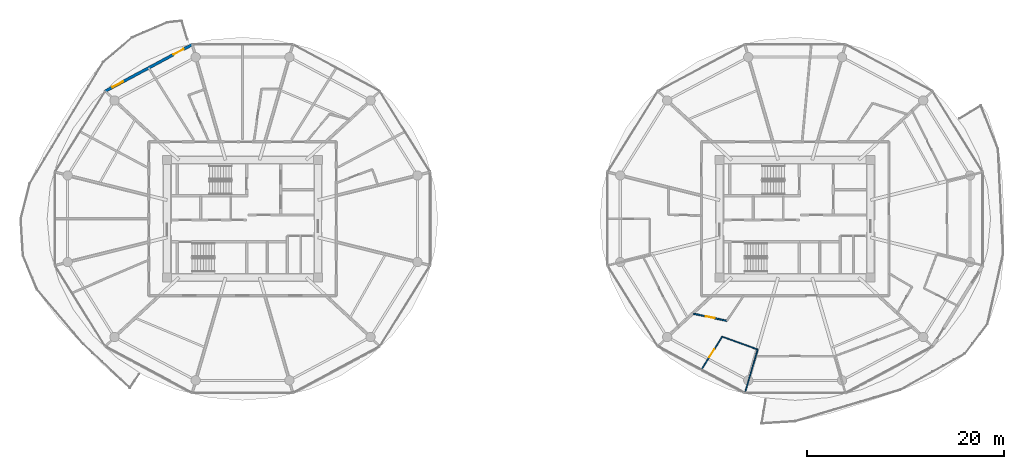
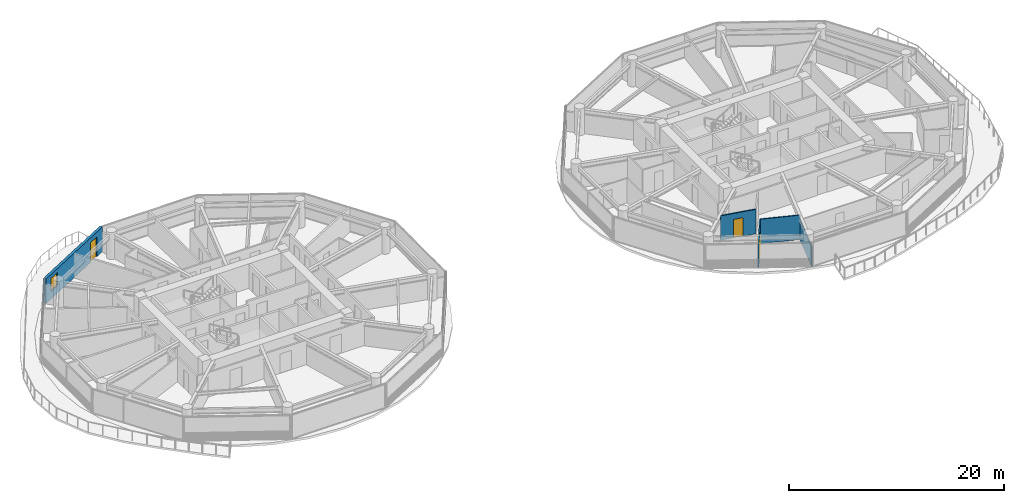
# One storey, part 18 of 27: 5 walls, 3 doors, 1 window, 4 openings.
"""IFC4 building model written with IfcOpenShell, lengths in metres."""

from ifc_helpers import new_model, si_unit, direction, frame, frame_2d, origin, place, context, subcontext, project, spatial, rectangle, extrude, source, transform, mapped, material, layer, layer_set, type_object, type_shapes, element, fill, save


model = new_model("IFC4")

# Units and contexts
model_context = context("Model", 3, precision=1e-05, world=origin(), true_north=direction((0.0, 1.0)))
body_context = subcontext(model_context, "Body", "Model", "MODEL_VIEW")
ifc_project = project(units=[si_unit("LENGTHUNIT", "METRE"), si_unit("AREAUNIT", "SQUARE_METRE"), si_unit("VOLUMEUNIT", "CUBIC_METRE"), si_unit("PLANEANGLEUNIT", "RADIAN"), si_unit("MASSUNIT", "GRAM", prefix="KILO")], contexts=[model_context])

# Site, building, storey
site_placement = place(None, origin())
site = spatial("IfcSite", under=ifc_project, at=site_placement, CompositionType="ELEMENT")
building_placement = place(site_placement, origin())
building = spatial("IfcBuilding", under=site, at=building_placement, Name="Norrkilde Senior Care Towers", CompositionType="ELEMENT")
storey_placement = place(building_placement, frame((0.0, 0.0, 33.800048828125)))
storey = spatial("IfcBuildingStorey", under=building, at=storey_placement, Name="L09", CompositionType="ELEMENT", Elevation=33.800048828125)

# Wall, openings, door, window
ifc_material_1 = material(Name="Precast concrete C45/55", Category="concrete")
ifc_layer_1 = layer(ifc_material_1, 0.2900390625)
ifc_layer_set_1 = layer_set([ifc_layer_1], Name="Precast concrete C45/55")
wall_type_1 = type_object("IfcWallType", Name="Winter Garden Facade Wall 290", PredefinedType="SOLIDWALL", material=ifc_layer_set_1)
shared_shape_1 = source(origin(), body_context, "Body", "SweptSolid", [
    extrude(rectangle(XDim=10.0107421875, YDim=0.2900390625, at=frame_2d((5.00537109375, 0.0))), origin(), (0.0, 0.0, 1.0), 2.7900390625),
])
type_shapes(wall_type_1, [shared_shape_1])
wall_1_placement = place(storey_placement, frame((-41.915771484375, 12.926025390625, 0.0), z_axis=(0.0, 0.0, 1.0), x_axis=(0.881272505317, 0.472608475773, 0.0)))
wall_1 = element("IfcWall", 1, at=wall_1_placement, inside=storey, type_object=wall_type_1, Name="L09 Drum W Balcony Access Wall 03", PredefinedType="SOLIDWALL", context=body_context, shape_type="MappedRepresentation", body=[
    mapped(shared_shape_1, transform((0.0, 0.0, 0.0), x_axis=(1.0, 0.0, 0.0), y_axis=(0.0, 1.0, 0.0), z_axis=(0.0, 0.0, 1.0), scale=1.0)),
])
opening_1_placement = place(wall_1_placement, frame((7.860107421875, 0.0, 0.0)))
opening_1 = element("IfcOpeningElement", 2, at=opening_1_placement, cuts=wall_1, Name="Opening D-09", PredefinedType="OPENING", context=body_context, shape_type="SweptSolid", body=[
    extrude(rectangle(XDim=1.14990234375, YDim=2.25, at=frame_2d((0.574951171875, 1.125))), frame((0.0, 0.155029296875, 0.0), z_axis=(0.0, -1.0, 0.0), x_axis=(1.0, 0.0, 0.0)), (0.0, 0.0, 1.0), 0.31005859375),
])
opening_2_placement = place(wall_1_placement, frame((0.85009765625, 0.0, 0.85009765625)))
opening_2 = element("IfcOpeningElement", 3, at=opening_2_placement, cuts=wall_1, Name="Opening WN-07", PredefinedType="OPENING", context=body_context, shape_type="SweptSolid", body=[
    extrude(rectangle(XDim=1.199951171875, YDim=1.5, at=frame_2d((0.60009765625, 0.75))), frame((0.0, 0.155029296875, 0.0), z_axis=(0.0, -1.0, 0.0), x_axis=(1.0, 0.0, 0.0)), (0.0, 0.0, 1.0), 0.31005859375),
])
ifc_material_2 = material(Name="Anodised Aluminium", Category="aluminium")
door_type_1 = type_object("IfcDoorType", Name="Terrace and Balcony Glazed Door 1150x2250", OperationType="NOTDEFINED", PredefinedType="DOOR", material=ifc_material_2)
shared_shape_2 = source(origin(), body_context, "Body", "SweptSolid", [
    extrude(rectangle(XDim=1.14990234375, YDim=2.25, at=frame_2d((0.574951171875, 1.125))), frame((0.0, 0.02490234375, 0.0), z_axis=(0.0, -1.0, 0.0), x_axis=(1.0, 0.0, 0.0)), (0.0, 0.0, 1.0), 0.050048828125),
])
type_shapes(door_type_1, [shared_shape_2])
door_1_placement = place(opening_1_placement, origin())
door_1 = element("IfcDoor", 4, at=door_1_placement, inside=storey, type_object=door_type_1, Name="L09 Drum W Outdoor Terrace Door 03", OperationType="SINGLE_SWING_RIGHT", OverallHeight=2.25, OverallWidth=1.14990234375, PredefinedType="DOOR", context=body_context, shape_type="MappedRepresentation", body=[
    mapped(shared_shape_2, transform((0.0, 0.0, 0.0), x_axis=(1.0, 0.0, 0.0), y_axis=(0.0, 1.0, 0.0), z_axis=(0.0, 0.0, 1.0), scale=1.0)),
])
fill(opening_1, door_1)
ifc_material_3 = material(Name="Triple Low-E Insulated Glazing", Category="glass")
window_type = type_object("IfcWindowType", Name="Stairwell Smoke Vent Window 1200x1500", PartitioningType="SINGLE_PANEL", PredefinedType="WINDOW", material=ifc_material_3)
shared_shape_3 = source(origin(), body_context, "Body", "SweptSolid", [
    extrude(rectangle(XDim=1.199951171875, YDim=1.5, at=frame_2d((0.60009765625, 0.75))), frame((0.0, 0.030029296875, 0.0), z_axis=(0.0, -1.0, 0.0), x_axis=(1.0, 0.0, 0.0)), (0.0, 0.0, 1.0), 0.06005859375),
])
type_shapes(window_type, [shared_shape_3])
window_placement = place(opening_2_placement, origin())
window = element("IfcWindow", 5, at=window_placement, inside=storey, type_object=window_type, Name="L09 Drum W Winter Garden Window 03", OverallHeight=1.5, OverallWidth=1.199951171875, PartitioningType="SINGLE_PANEL", PredefinedType="WINDOW", context=body_context, shape_type="MappedRepresentation", body=[
    mapped(shared_shape_3, transform((0.0, 0.0, 0.0), x_axis=(1.0, 0.0, 0.0), y_axis=(0.0, 1.0, 0.0), z_axis=(0.0, 0.0, 1.0), scale=1.0)),
])
fill(opening_2, window)

# Wall, opening, door
ifc_material_4 = material(Name="Gypsum Acoustic Board")
ifc_layer_2 = layer(ifc_material_4, 0.139892578125)
ifc_layer_set_2 = layer_set([ifc_layer_2], Name="Gypsum Acoustic Board")
wall_type_2 = type_object("IfcWallType", Name="En-suite Wet Room Wall 140", PredefinedType="PARTITIONING", material=ifc_layer_set_2)
shared_shape_4 = source(origin(), body_context, "Body", "SweptSolid", [
    extrude(rectangle(XDim=3.458984375, YDim=0.139892578125, at=frame_2d((1.7294921875, 0.0))), origin(), (0.0, 0.0, 1.0), 2.77490234375),
])
type_shapes(wall_type_2, [shared_shape_4])
wall_2_placement = place(storey_placement, frame((21.07763671875, -10.34423828125, 0.0), z_axis=(0.0, 0.0, 1.0), x_axis=(-0.978006468578, 0.208574560815, 0.0)))
wall_2 = element("IfcWall", 6, at=wall_2_placement, inside=storey, type_object=wall_type_2, Name="WL-INT-L09-E-UBTF-07", PredefinedType="PARTITIONING", context=body_context, shape_type="MappedRepresentation", body=[
    mapped(shared_shape_4, transform((0.0, 0.0, 0.0), x_axis=(1.0, 0.0, 0.0), y_axis=(0.0, 1.0, 0.0), z_axis=(0.0, 0.0, 1.0), scale=1.0)),
])
opening_3_placement = place(wall_2_placement, frame((1.26953125, 0.0, 0.0)))
opening_3 = element("IfcOpeningElement", 7, at=opening_3_placement, cuts=wall_2, Name="Opening D-08", PredefinedType="OPENING", context=body_context, shape_type="SweptSolid", body=[
    extrude(rectangle(XDim=0.919921875, YDim=2.10009765625, at=frame_2d((0.4599609375, 1.050048828125))), frame((0.0, 0.079833984375, 0.0), z_axis=(0.0, -1.0, 0.0), x_axis=(1.0, 0.0, 0.0)), (0.0, 0.0, 1.0), 0.159912109375),
])
ifc_material_5 = material(Name="Nordic Ash Timber", Category="wood")
door_type_2 = type_object("IfcDoorType", Name="Accessible Wet Room Door 920x2100", OperationType="NOTDEFINED", PredefinedType="DOOR", material=ifc_material_5)
shared_shape_5 = source(origin(), body_context, "Body", "SweptSolid", [
    extrude(rectangle(XDim=0.919921875, YDim=2.10009765625, at=frame_2d((0.4599609375, 1.050048828125))), frame((0.0, 0.02490234375, 0.0), z_axis=(0.0, -1.0, 0.0), x_axis=(1.0, 0.0, 0.0)), (0.0, 0.0, 1.0), 0.050048828125),
])
type_shapes(door_type_2, [shared_shape_5])
door_2_placement = place(opening_3_placement, origin())
door_2 = element("IfcDoor", 8, at=door_2_placement, inside=storey, type_object=door_type_2, Name="Apartment 09E Bathroom Door", OperationType="SINGLE_SWING_LEFT", OverallHeight=2.10009765625, OverallWidth=0.919921875, PredefinedType="DOOR", context=body_context, shape_type="MappedRepresentation", body=[
    mapped(shared_shape_5, transform((0.0, 0.0, 0.0), x_axis=(1.0, 0.0, 0.0), y_axis=(0.0, 1.0, 0.0), z_axis=(0.0, 0.0, 1.0), scale=1.0)),
])
fill(opening_3, door_2)

ifc_layer_3 = layer(ifc_material_4, 0.114990234375)
ifc_layer_set_3 = layer_set([ifc_layer_3], Name="Gypsum Acoustic Board")
wall_type_3 = type_object("IfcWallType", Name="Internal Room Partition 115", PredefinedType="PARTITIONING", material=ifc_layer_set_3)
shared_shape_6 = source(origin(), body_context, "Body", "SweptSolid", [
    extrude(rectangle(XDim=3.974365234375, YDim=0.114990234375, at=frame_2d((1.9873046875, 0.0))), origin(), (0.0, 0.0, 1.0), 2.77490234375),
])
wall_3_placement = place(storey_placement, frame((20.611083984375, -11.9501953125, 0.0), z_axis=(0.0, 0.0, 1.0), x_axis=(-0.534810918023, -0.844971764003, 0.0)))
wall_3 = element("IfcWall", 9, at=wall_3_placement, inside=storey, type_object=wall_type_3, Name="WL-INT-L09-E-UKTS-07", PredefinedType="PARTITIONING", context=body_context, shape_type="MappedRepresentation", body=[
    mapped(shared_shape_6, transform((0.0, 0.0, 0.0), x_axis=(1.0, 0.0, 0.0), y_axis=(0.0, 1.0, 0.0), z_axis=(0.0, 0.0, 1.0), scale=1.0)),
])
opening_4_placement = place(wall_3_placement, frame((1.51220703125, 0.0, 0.0)))
opening_4 = element("IfcOpeningElement", 10, at=opening_4_placement, cuts=wall_3, Name="Opening D-07", PredefinedType="OPENING", context=body_context, shape_type="SweptSolid", body=[
    extrude(rectangle(XDim=0.949951171875, YDim=2.10009765625, at=frame_2d((0.47509765625, 1.050048828125))), frame((0.0, 0.0673828125, 0.0), z_axis=(0.0, -1.0, 0.0), x_axis=(1.0, 0.0, 0.0)), (0.0, 0.0, 1.0), 0.135009765625),
])
door_type_3 = type_object("IfcDoorType", Name="Internal Suite Bedroom Door 950x2100", OperationType="NOTDEFINED", PredefinedType="DOOR", material=ifc_material_5)
shared_shape_7 = source(origin(), body_context, "Body", "SweptSolid", [
    extrude(rectangle(XDim=0.949951171875, YDim=2.10009765625, at=frame_2d((0.47509765625, 1.050048828125))), frame((0.0, 0.02490234375, 0.0), z_axis=(0.0, -1.0, 0.0), x_axis=(1.0, 0.0, 0.0)), (0.0, 0.0, 1.0), 0.050048828125),
])
type_shapes(door_type_3, [shared_shape_7])
door_3_placement = place(opening_4_placement, frame((0.949951171875, 0.0, 0.0), z_axis=(0.0, 0.0, 1.0), x_axis=(-1.0, 0.0, 0.0)))
door_3 = element("IfcDoor", 11, at=door_3_placement, inside=storey, type_object=door_type_3, Name="Apartment 09E Kitchen Door", OperationType="SINGLE_SWING_RIGHT", OverallHeight=2.10009765625, OverallWidth=0.949951171875, PredefinedType="DOOR", context=body_context, shape_type="MappedRepresentation", body=[
    mapped(shared_shape_7, transform((0.0, 0.0, 0.0), x_axis=(1.0, 0.0, 0.0), y_axis=(0.0, 1.0, 0.0), z_axis=(0.0, 0.0, 1.0), scale=1.0)),
])
fill(opening_4, door_3)

# Walls
shared_shape_8 = source(origin(), body_context, "Body", "SweptSolid", [
    extrude(rectangle(XDim=3.814453125, YDim=0.114990234375, at=frame_2d((1.9072265625, 0.0))), origin(), (0.0, 0.0, 1.0), 2.77490234375),
])
wall_4_placement = place(storey_placement, frame((20.611083984375, -11.9501953125, 0.0), z_axis=(0.0, 0.0, 1.0), x_axis=(0.940935542004, -0.338585743637, 0.0)))
element("IfcWall", 12, at=wall_4_placement, inside=storey, type_object=wall_type_3, Name="WL-INT-L09-E-UKTF-07", PredefinedType="PARTITIONING", context=body_context, shape_type="MappedRepresentation", body=[
    mapped(shared_shape_8, transform((0.0, 0.0, 0.0), x_axis=(1.0, 0.0, 0.0), y_axis=(0.0, 1.0, 0.0), z_axis=(0.0, 0.0, 1.0), scale=1.0)),
])
shared_shape_9 = source(origin(), body_context, "Body", "SweptSolid", [
    extrude(rectangle(XDim=4.62451171875, YDim=0.114990234375, at=frame_2d((2.312255859375, 0.0))), origin(), (0.0, 0.0, 1.0), 2.224853515625),
])
type_shapes(wall_type_3, [shared_shape_6, shared_shape_8, shared_shape_9])
wall_5_placement = place(storey_placement, frame((24.201171875, -13.238525390625, 0.0), z_axis=(0.0, 0.0, 1.0), x_axis=(-0.2810742844, -0.959686014616, 0.0)))
element("IfcWall", 13, at=wall_5_placement, inside=storey, type_object=wall_type_3, Name="WL-INT-L09-E-UBR-07-1", PredefinedType="PARTITIONING", context=body_context, shape_type="MappedRepresentation", body=[
    mapped(shared_shape_9, transform((0.0, 0.0, 0.0), x_axis=(1.0, 0.0, 0.0), y_axis=(0.0, 1.0, 0.0), z_axis=(0.0, 0.0, 1.0), scale=1.0)),
])

save(model, "model.ifc")
